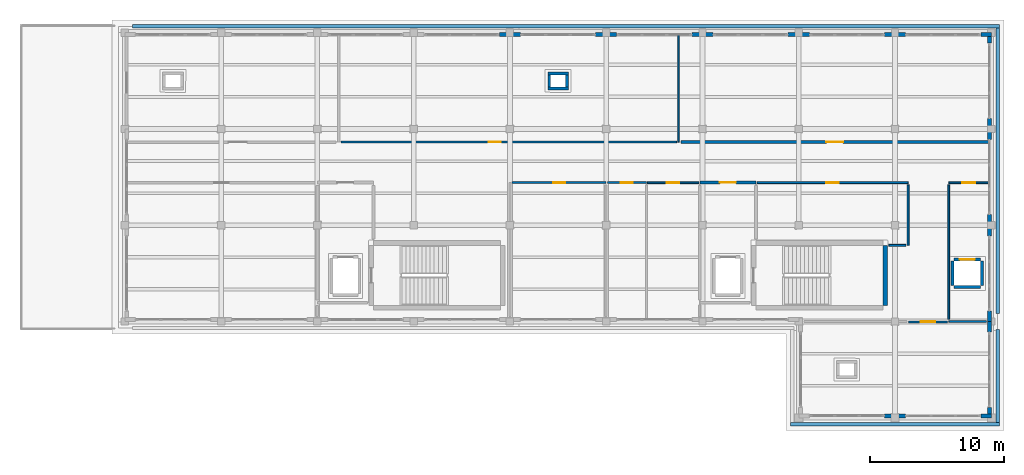
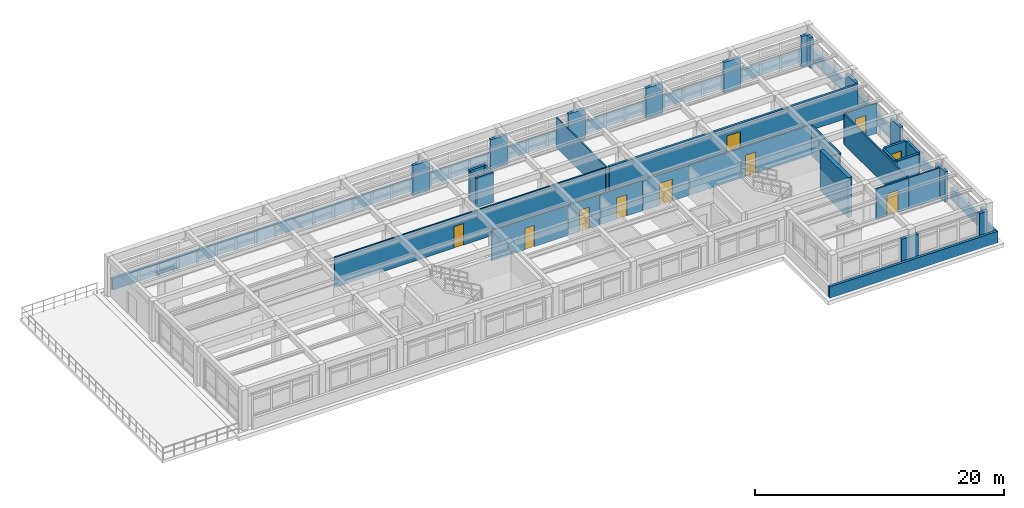
# One storey, part 16 of 21: 41 walls, 10 doors, 10 openings.
"""IFC4 building model written with IfcOpenShell, lengths in metres."""

from ifc_helpers import new_model, si_unit, direction, frame, frame_2d, origin, place, context, subcontext, project, spatial, rectangle, extrude, material, layer, layer_set, type_object, element, fill, save


model = new_model("IFC4")

# Units and contexts
model_context = context("Model", 3, precision=1e-05, world=origin(), true_north=direction((0.0, 1.0)))
body_context = subcontext(model_context, "Body", "Model", "MODEL_VIEW")
ifc_project = project(units=[si_unit("LENGTHUNIT", "METRE"), si_unit("AREAUNIT", "SQUARE_METRE"), si_unit("VOLUMEUNIT", "CUBIC_METRE"), si_unit("PLANEANGLEUNIT", "RADIAN"), si_unit("MASSUNIT", "GRAM", prefix="KILO")], contexts=[model_context])

# Site, building, storey
site_placement = place(None, origin())
site = spatial("IfcSite", under=ifc_project, at=site_placement, CompositionType="ELEMENT")
building_placement = place(site_placement, origin())
building = spatial("IfcBuilding", under=site, at=building_placement, Name="Solenvale Faculty of Natural Sciences", CompositionType="ELEMENT")
storey_placement = place(building_placement, frame((0.0, 0.0, 31.199951171875)))
storey = spatial("IfcBuildingStorey", under=building, at=storey_placement, Name="L07", CompositionType="ELEMENT", Elevation=31.199951171875)

# Walls
ifc_material_1 = material(Name="Precast concrete 40 MPa", Category="concrete")
ifc_layer_1 = layer(ifc_material_1, 0.284912109375)
ifc_layer_set_1 = layer_set([ifc_layer_1], Name="Precast concrete 40 MPa")
wall_type_1 = type_object("IfcWallType", Name="WL-EXT-PRC-285", PredefinedType="STANDARD", material=ifc_layer_set_1)
wall_1_placement = place(storey_placement, frame((151.0576171875, 93.60009765625, 0.0), z_axis=(0.0, 0.0, 1.0), x_axis=(0.0, 1.0, 0.0)))
element("IfcWall", 1, at=wall_1_placement, inside=storey, type_object=wall_type_1, Name="L07 Facade Closure Pier 1.B1-L", PredefinedType="STANDARD", context=body_context, shape_type="SweptSolid", body=[
    extrude(rectangle(XDim=0.787841796875, YDim=0.284912109375, at=frame_2d((0.39404296875, 0.0))), origin(), (0.0, 0.0, 1.0), 2.9599609375),
])
wall_2_placement = place(storey_placement, frame((151.0576171875, 100.011962890625, 0.0), z_axis=(0.0, 0.0, 1.0), x_axis=(0.0, 1.0, 0.0)))
element("IfcWall", 2, at=wall_2_placement, inside=storey, type_object=wall_type_1, Name="L07 Facade Closure Pier 1.B1-R", PredefinedType="STANDARD", context=body_context, shape_type="SweptSolid", body=[
    extrude(rectangle(XDim=1.575927734375, YDim=0.284912109375, at=frame_2d((0.7880859375, 0.0))), origin(), (0.0, 0.0, 1.0), 2.9599609375),
])
wall_3_placement = place(storey_placement, frame((151.0576171875, 107.2119140625, 0.0), z_axis=(0.0, 0.0, 1.0), x_axis=(0.0, 1.0, 0.0)))
element("IfcWall", 3, at=wall_3_placement, inside=storey, type_object=wall_type_1, Name="L07 Facade Closure Pier 1.B2-R", PredefinedType="STANDARD", context=body_context, shape_type="SweptSolid", body=[
    extrude(rectangle(XDim=1.576171875, YDim=0.284912109375, at=frame_2d((0.7880859375, 0.0))), origin(), (0.0, 0.0, 1.0), 2.9599609375),
])
wall_4_placement = place(storey_placement, frame((151.0576171875, 114.412109375, 0.0), z_axis=(0.0, 0.0, 1.0), x_axis=(0.0, 1.0, 0.0)))
element("IfcWall", 4, at=wall_4_placement, inside=storey, type_object=wall_type_1, Name="L07 Facade Closure Pier 1.B3-R", PredefinedType="STANDARD", context=body_context, shape_type="SweptSolid", body=[
    extrude(rectangle(XDim=0.5029296875, YDim=0.284912109375, at=frame_2d((0.25146484375, 0.0))), origin(), (0.0, 0.0, 1.0), 2.9599609375),
])
wall_5_placement = place(storey_placement, frame((151.199951171875, 115.0576171875, 0.0), z_axis=(0.0, 0.0, 1.0), x_axis=(-1.0, 0.0, 0.0)))
element("IfcWall", 5, at=wall_5_placement, inside=storey, type_object=wall_type_1, Name="L07 Facade Closure Pier 2.B1-L", PredefinedType="STANDARD", context=body_context, shape_type="SweptSolid", body=[
    extrude(rectangle(XDim=0.787841796875, YDim=0.284912109375, at=frame_2d((0.39404296875, 0.0))), origin(), (0.0, 0.0, 1.0), 2.9599609375),
])
wall_6_placement = place(storey_placement, frame((144.7880859375, 115.0576171875, 0.0), z_axis=(0.0, 0.0, 1.0), x_axis=(-1.0, 0.0, 0.0)))
element("IfcWall", 6, at=wall_6_placement, inside=storey, type_object=wall_type_1, Name="L07 Facade Closure Pier 2.B1-R", PredefinedType="STANDARD", context=body_context, shape_type="SweptSolid", body=[
    extrude(rectangle(XDim=1.576171875, YDim=0.284912109375, at=frame_2d((0.7880859375, 0.0))), origin(), (0.0, 0.0, 1.0), 2.9599609375),
])
for number, where, z_axis, x_axis, name in (
    (7, (137.587890625, 115.0576171875, 0.0), (0.0, 0.0, 1.0), (-1.0, 0.0, 0.0), "L07 Facade Closure Pier 2.B2-R"),
    (8, (130.387939453125, 115.0576171875, 0.0), (0.0, 0.0, 1.0), (-1.0, 0.0, 0.0), "L07 Facade Closure Pier 2.B3-R"),
    (9, (123.18798828125, 115.0576171875, 0.0), (0.0, 0.0, 1.0), (-1.0, 0.0, 0.0), "L07 Facade Closure Pier 2.B4-R"),
    (10, (115.988037109375, 115.0576171875, 0.0), (0.0, 0.0, 1.0), (-1.0, 0.0, 0.0), "L07 Facade Closure Pier 2.B5-R"),
):
    element("IfcWall", number, at=place(storey_placement, frame(where, z_axis=z_axis, x_axis=x_axis)), inside=storey, type_object=wall_type_1, Name=name, PredefinedType="STANDARD", context=body_context, shape_type="SweptSolid", body=[
        extrude(rectangle(XDim=1.575927734375, YDim=0.284912109375, at=frame_2d((0.7880859375, 0.0))), origin(), (0.0, 0.0, 1.0), 2.9599609375),
    ])
wall_7_placement = place(storey_placement, frame((143.2119140625, 86.54248046875, 0.0), z_axis=(0.0, 0.0, 1.0), x_axis=(1.0, 0.0, 0.0)))
element("IfcWall", 11, at=wall_7_placement, inside=storey, type_object=wall_type_1, Name="L07 Facade Closure Pier 6.B1-R", PredefinedType="STANDARD", context=body_context, shape_type="SweptSolid", body=[
    extrude(rectangle(XDim=1.576171875, YDim=0.284912109375, at=frame_2d((0.7880859375, 0.0))), origin(), (0.0, 0.0, 1.0), 2.9599609375),
])
wall_8_placement = place(storey_placement, frame((150.412109375, 86.54248046875, 0.0), z_axis=(0.0, 0.0, 1.0), x_axis=(1.0, 0.0, 0.0)))
element("IfcWall", 12, at=wall_8_placement, inside=storey, type_object=wall_type_1, Name="L07 Facade Closure Pier 6.B2-R", PredefinedType="STANDARD", context=body_context, shape_type="SweptSolid", body=[
    extrude(rectangle(XDim=0.787841796875, YDim=0.284912109375, at=frame_2d((0.39404296875, 0.0))), origin(), (0.0, 0.0, 1.0), 2.9599609375),
])
wall_9_placement = place(storey_placement, frame((151.0576171875, 86.68505859375, 0.0), z_axis=(0.0, 0.0, 1.0), x_axis=(0.0, 1.0, 0.0)))
element("IfcWall", 13, at=wall_9_placement, inside=storey, type_object=wall_type_1, Name="L07 Facade Closure Pier 7.B1-L", PredefinedType="STANDARD", context=body_context, shape_type="SweptSolid", body=[
    extrude(rectangle(XDim=0.5029296875, YDim=0.284912109375, at=frame_2d((0.25146484375, 0.0))), origin(), (0.0, 0.0, 1.0), 2.9599609375),
])
wall_10_placement = place(storey_placement, frame((151.0576171875, 92.81201171875, 0.0), z_axis=(0.0, 0.0, 1.0), x_axis=(0.0, 1.0, 0.0)))
element("IfcWall", 14, at=wall_10_placement, inside=storey, type_object=wall_type_1, Name="L07 Facade Closure Pier 7.B1-R", PredefinedType="STANDARD", context=body_context, shape_type="SweptSolid", body=[
    extrude(rectangle(XDim=0.7880859375, YDim=0.284912109375, at=frame_2d((0.39404296875, 0.0))), origin(), (0.0, 0.0, 1.0), 2.9599609375),
])

# Wall, opening, door
ifc_material_2 = material(Name="Gypsum fire-rated shaftwall")
ifc_layer_2 = layer(ifc_material_2, 0.205078125)
ifc_layer_set_2 = layer_set([ifc_layer_2], Name="Gypsum fire-rated shaftwall")
wall_type_2 = type_object("IfcWallType", Name="WL-FFL-205", PredefinedType="PARTITIONING", material=ifc_layer_set_2)
wall_11_placement = place(storey_placement, frame((129.39990234375, 104.0, 0.0), z_axis=(0.0, 0.0, 1.0), x_axis=(1.0, 0.0, 0.0)))
wall_11 = element("IfcWall", 15, at=wall_11_placement, inside=storey, type_object=wall_type_2, Name="L07 Firefighting Lobby C5 Partition 1", PredefinedType="PARTITIONING", context=body_context, shape_type="SweptSolid", body=[
    extrude(rectangle(XDim=4.2001953125, YDim=0.205078125, at=frame_2d((2.10009765625, 0.0))), origin(), (0.0, 0.0, 1.0), 2.9599609375),
])
opening_1_placement = place(wall_11_placement, frame((1.5, 0.0, 0.0)))
opening_1 = element("IfcOpeningElement", 16, at=opening_1_placement, cuts=wall_11, Name="Opening D-L07-02", PredefinedType="OPENING", context=body_context, shape_type="SweptSolid", body=[
    extrude(rectangle(XDim=1.199951171875, YDim=2.14990234375, at=frame_2d((0.60009765625, 1.074951171875))), frame((0.0, 0.112548828125, 0.0), z_axis=(0.0, -1.0, 0.0), x_axis=(1.0, 0.0, 0.0)), (0.0, 0.0, 1.0), 0.22509765625),
])
ifc_material_3 = material(Name="Galvanised steel S355", Category="steel")
door_type_1 = type_object("IfcDoorType", Name="DR-FFL-1200x2150", OperationType="NOTDEFINED", PredefinedType="DOOR", material=ifc_material_3)
door_1_placement = place(opening_1_placement, origin())
door_1 = element("IfcDoor", 17, at=door_1_placement, inside=storey, type_object=door_type_1, Name="L07 Firefighting Lobby C5 Door", OperationType="SINGLE_SWING_LEFT", OverallHeight=2.14990234375, OverallWidth=1.199951171875, PredefinedType="DOOR", context=body_context, shape_type="SweptSolid", body=[
    extrude(rectangle(XDim=1.199951171875, YDim=2.14990234375, at=frame_2d((0.60009765625, 1.074951171875))), frame((0.0, 0.02490234375, 0.0), z_axis=(0.0, -1.0, 0.0), x_axis=(1.0, 0.0, 0.0)), (0.0, 0.0, 1.0), 0.050048828125),
])
fill(opening_1, door_1)

ifc_material_4 = material(Name="Gypsum fire-rated laboratory partition")
ifc_layer_3 = layer(ifc_material_4, 0.2119140625)
ifc_layer_set_3 = layer_set([ifc_layer_3], Name="Gypsum fire-rated laboratory partition")
wall_type_3 = type_object("IfcWallType", Name="WL-LAB-212", PredefinedType="PARTITIONING", material=ifc_layer_set_3)
wall_12_placement = place(storey_placement, frame((151.01806640625, 107.02001953125, 0.0), z_axis=(0.0, 0.0, 1.0), x_axis=(-1.0, 0.0, 0.0)))
wall_12 = element("IfcWall", 18, at=wall_12_placement, inside=storey, type_object=wall_type_3, Name="L07 Preparative Organic Chemistry Laboratory Partition 4", PredefinedType="PARTITIONING", context=body_context, shape_type="SweptSolid", body=[
    extrude(rectangle(XDim=23.0380859375, YDim=0.2119140625, at=frame_2d((11.51904296875, 0.0))), origin(), (0.0, 0.0, 1.0), 2.9599609375),
])
opening_2_placement = place(wall_12_placement, frame((10.89404296875, 0.0, 0.0)))
opening_2 = element("IfcOpeningElement", 19, at=opening_2_placement, cuts=wall_12, Name="Opening D-L07-05", PredefinedType="OPENING", context=body_context, shape_type="SweptSolid", body=[
    extrude(rectangle(XDim=1.25, YDim=2.14990234375, at=frame_2d((0.625, 1.074951171875))), frame((0.0, 0.115966796875, 0.0), z_axis=(0.0, -1.0, 0.0), x_axis=(1.0, 0.0, 0.0)), (0.0, 0.0, 1.0), 0.23193359375),
])
ifc_material_5 = material(Name="Oak acoustic timber leaf", Category="wood")
door_type_2 = type_object("IfcDoorType", Name="DR-LAB-1250x2150", OperationType="NOTDEFINED", PredefinedType="DOOR", material=ifc_material_5)
door_2_placement = place(opening_2_placement, origin())
door_2 = element("IfcDoor", 20, at=door_2_placement, inside=storey, type_object=door_type_2, Name="L07 Preparative Organic Chemistry Laboratory Door", OperationType="SINGLE_SWING_RIGHT", OverallHeight=2.14990234375, OverallWidth=1.25, PredefinedType="DOOR", context=body_context, shape_type="SweptSolid", body=[
    extrude(rectangle(XDim=1.25, YDim=2.14990234375, at=frame_2d((0.625, 1.074951171875))), frame((0.0, 0.02490234375, 0.0), z_axis=(0.0, -1.0, 0.0), x_axis=(1.0, 0.0, 0.0)), (0.0, 0.0, 1.0), 0.050048828125),
])
fill(opening_2, door_2)

# Wall
ifc_material_6 = material(Name="Acoustic stud gypsum partition")
ifc_layer_4 = layer(ifc_material_6, 0.125)
ifc_layer_set_4 = layer_set([ifc_layer_4], Name="Acoustic stud gypsum partition")
wall_type_4 = type_object("IfcWallType", Name="WL-OFF-125", PredefinedType="PARTITIONING", material=ifc_layer_set_4)
wall_13_placement = place(storey_placement, frame((127.800048828125, 115.01708984375, 0.0), z_axis=(0.0, 0.0, 1.0), x_axis=(0.0, -1.0, 0.0)))
element("IfcWall", 21, at=wall_13_placement, inside=storey, type_object=wall_type_4, Name="L07 Faculty Staff Office Partition 3", PredefinedType="PARTITIONING", context=body_context, shape_type="SweptSolid", body=[
    extrude(rectangle(XDim=7.9970703125, YDim=0.125, at=frame_2d((3.99853515625, 0.0))), origin(), (0.0, 0.0, 1.0), 2.9599609375),
])

# Wall, opening, door
wall_14_placement = place(storey_placement, frame((127.6630859375, 107.02001953125, 0.0), z_axis=(0.0, 0.0, 1.0), x_axis=(-1.0, 0.0, 0.0)))
wall_14 = element("IfcWall", 22, at=wall_14_placement, inside=storey, type_object=wall_type_4, Name="L07 Faculty Staff Office Partition 4", PredefinedType="PARTITIONING", context=body_context, shape_type="SweptSolid", body=[
    extrude(rectangle(XDim=25.09619140625, YDim=0.125, at=frame_2d((12.548095703125, 0.0))), origin(), (0.0, 0.0, 1.0), 2.9599609375),
])
opening_3_placement = place(wall_14_placement, frame((13.137939453125, 0.0, 0.0)))
opening_3 = element("IfcOpeningElement", 23, at=opening_3_placement, cuts=wall_14, Name="Opening D-L07-04", PredefinedType="OPENING", context=body_context, shape_type="SweptSolid", body=[
    extrude(rectangle(XDim=0.919921875, YDim=2.10009765625, at=frame_2d((0.4599609375, 1.050048828125))), frame((0.0, 0.072509765625, 0.0), z_axis=(0.0, -1.0, 0.0), x_axis=(1.0, 0.0, 0.0)), (0.0, 0.0, 1.0), 0.14501953125),
])
door_type_3 = type_object("IfcDoorType", Name="DR-OFF-0920x2100", OperationType="NOTDEFINED", PredefinedType="DOOR", material=ifc_material_5)
door_3_placement = place(opening_3_placement, origin())
door_3 = element("IfcDoor", 24, at=door_3_placement, inside=storey, type_object=door_type_3, Name="L07 Faculty Staff Office Door", OperationType="SINGLE_SWING_LEFT", OverallHeight=2.10009765625, OverallWidth=0.919921875, PredefinedType="DOOR", context=body_context, shape_type="SweptSolid", body=[
    extrude(rectangle(XDim=0.919921875, YDim=2.10009765625, at=frame_2d((0.4599609375, 1.050048828125))), frame((0.0, 0.02490234375, 0.0), z_axis=(0.0, -1.0, 0.0), x_axis=(1.0, 0.0, 0.0)), (0.0, 0.0, 1.0), 0.050048828125),
])
fill(opening_3, door_3)

ifc_layer_5 = layer(ifc_material_6, 0.132080078125)
ifc_layer_set_5 = layer_set([ifc_layer_5], Name="Acoustic stud gypsum partition")
wall_type_5 = type_object("IfcWallType", Name="WL-OFF-132", PredefinedType="PARTITIONING", material=ifc_layer_set_5)
wall_15_placement = place(storey_placement, frame((125.47802734375, 103.97998046875, 0.0), z_axis=(0.0, 0.0, 1.0), x_axis=(1.0, 0.0, 0.0)))
wall_15 = element("IfcWall", 25, at=wall_15_placement, inside=storey, type_object=wall_type_5, Name="L07 Analytical Balance Room Partition 2", PredefinedType="PARTITIONING", context=body_context, shape_type="SweptSolid", body=[
    extrude(rectangle(XDim=3.843994140625, YDim=0.132080078125, at=frame_2d((1.921875, 0.0))), origin(), (0.0, 0.0, 1.0), 2.9599609375),
])
opening_4_placement = place(wall_15_placement, frame((1.447021484375, 0.0, 0.0)))
opening_4 = element("IfcOpeningElement", 26, at=opening_4_placement, cuts=wall_15, Name="Opening D-L07-09", PredefinedType="OPENING", context=body_context, shape_type="SweptSolid", body=[
    extrude(rectangle(XDim=0.949951171875, YDim=2.10009765625, at=frame_2d((0.47509765625, 1.050048828125))), frame((0.0, 0.075927734375, 0.0), z_axis=(0.0, -1.0, 0.0), x_axis=(1.0, 0.0, 0.0)), (0.0, 0.0, 1.0), 0.152099609375),
])
door_type_4 = type_object("IfcDoorType", Name="DR-OFF-0950x2100", OperationType="NOTDEFINED", PredefinedType="DOOR", material=ifc_material_5)
door_4_placement = place(opening_4_placement, origin())
door_4 = element("IfcDoor", 27, at=door_4_placement, inside=storey, type_object=door_type_4, Name="L07 Analytical Balance Room Door", OperationType="SINGLE_SWING_RIGHT", OverallHeight=2.10009765625, OverallWidth=0.949951171875, PredefinedType="DOOR", context=body_context, shape_type="SweptSolid", body=[
    extrude(rectangle(XDim=0.949951171875, YDim=2.10009765625, at=frame_2d((0.47509765625, 1.050048828125))), frame((0.0, 0.02490234375, 0.0), z_axis=(0.0, -1.0, 0.0), x_axis=(1.0, 0.0, 0.0)), (0.0, 0.0, 1.0), 0.050048828125),
])
fill(opening_4, door_4)

ifc_layer_6 = layer(ifc_material_6, 0.139892578125)
ifc_layer_set_6 = layer_set([ifc_layer_6], Name="Acoustic stud gypsum partition")
wall_type_6 = type_object("IfcWallType", Name="WL-OFF-140", PredefinedType="PARTITIONING", material=ifc_layer_set_6)
wall_16_placement = place(storey_placement, frame((148.02001953125, 103.97998046875, 0.0), z_axis=(0.0, 0.0, 1.0), x_axis=(1.0, 0.0, 0.0)))
wall_16 = element("IfcWall", 28, at=wall_16_placement, inside=storey, type_object=wall_type_6, Name="L07 Elevator Lobby Partition 1", PredefinedType="PARTITIONING", context=body_context, shape_type="SweptSolid", body=[
    extrude(rectangle(XDim=2.998046875, YDim=0.139892578125, at=frame_2d((1.4990234375, 0.0))), origin(), (0.0, 0.0, 1.0), 2.9599609375),
])
opening_5_placement = place(wall_16_placement, frame((1.009033203125, 0.0, 0.0)))
opening_5 = element("IfcOpeningElement", 29, at=opening_5_placement, cuts=wall_16, Name="Opening D-L07-11", PredefinedType="OPENING", context=body_context, shape_type="SweptSolid", body=[
    extrude(rectangle(XDim=0.97998046875, YDim=2.10009765625, at=frame_2d((0.489990234375, 1.050048828125))), frame((0.0, 0.079833984375, 0.0), z_axis=(0.0, -1.0, 0.0), x_axis=(1.0, 0.0, 0.0)), (0.0, 0.0, 1.0), 0.159912109375),
])
door_type_5 = type_object("IfcDoorType", Name="DR-OFF-0980x2100", OperationType="NOTDEFINED", PredefinedType="DOOR", material=ifc_material_5)
door_5_placement = place(opening_5_placement, origin())
door_5 = element("IfcDoor", 30, at=door_5_placement, inside=storey, type_object=door_type_5, Name="L07 Elevator Lobby Door", OperationType="SINGLE_SWING_RIGHT", OverallHeight=2.10009765625, OverallWidth=0.97998046875, PredefinedType="DOOR", context=body_context, shape_type="SweptSolid", body=[
    extrude(rectangle(XDim=0.97998046875, YDim=2.10009765625, at=frame_2d((0.489990234375, 1.050048828125))), frame((0.0, 0.02490234375, 0.0), z_axis=(0.0, -1.0, 0.0), x_axis=(1.0, 0.0, 0.0)), (0.0, 0.0, 1.0), 0.050048828125),
])
fill(opening_5, door_5)

# Walls
wall_17_placement = place(storey_placement, frame((150.8330078125, 93.60009765625, 0.0), z_axis=(0.0, 0.0, 1.0), x_axis=(-1.0, 0.0, 0.0)))
element("IfcWall", 31, at=wall_17_placement, inside=storey, type_object=wall_type_6, Name="L07 Elevator Lobby Partition 3", PredefinedType="PARTITIONING", context=body_context, shape_type="SweptSolid", body=[
    extrude(rectangle(XDim=2.81298828125, YDim=0.139892578125, at=frame_2d((1.406494140625, 0.0))), origin(), (0.0, 0.0, 1.0), 2.9599609375),
])
wall_18_placement = place(storey_placement, frame((148.02001953125, 93.751953125, 0.0), z_axis=(0.0, 0.0, 1.0), x_axis=(0.0, 1.0, 0.0)))
element("IfcWall", 32, at=wall_18_placement, inside=storey, type_object=wall_type_6, Name="L07 Elevator Lobby Partition 4", PredefinedType="PARTITIONING", context=body_context, shape_type="SweptSolid", body=[
    extrude(rectangle(XDim=10.075927734375, YDim=0.139892578125, at=frame_2d((5.0380859375, 0.0))), origin(), (0.0, 0.0, 1.0), 2.9599609375),
])

# Wall, opening, door
ifc_layer_7 = layer(ifc_material_6, 0.14794921875)
ifc_layer_set_7 = layer_set([ifc_layer_7], Name="Acoustic stud gypsum partition")
wall_type_7 = type_object("IfcWallType", Name="WL-OFF-148", PredefinedType="PARTITIONING", material=ifc_layer_set_7)
wall_19_placement = place(storey_placement, frame((133.68603515625, 103.97998046875, 0.0), z_axis=(0.0, 0.0, 1.0), x_axis=(1.0, 0.0, 0.0)))
wall_19 = element("IfcWall", 33, at=wall_19_placement, inside=storey, type_object=wall_type_7, Name="L07 Building Electrical and Telecom Closet Partition 18", PredefinedType="PARTITIONING", context=body_context, shape_type="SweptSolid", body=[
    extrude(rectangle(XDim=11.2939453125, YDim=0.14794921875, at=frame_2d((5.64697265625, 0.0))), origin(), (0.0, 0.0, 1.0), 2.9599609375),
])
opening_6_placement = place(wall_19_placement, frame((5.18701171875, 0.0, 0.0)))
opening_6 = element("IfcOpeningElement", 34, at=opening_6_placement, cuts=wall_19, Name="Opening D-L07-10", PredefinedType="OPENING", context=body_context, shape_type="SweptSolid", body=[
    extrude(rectangle(XDim=0.919921875, YDim=2.10009765625, at=frame_2d((0.4599609375, 1.050048828125))), frame((0.0, 0.083984375, 0.0), z_axis=(0.0, -1.0, 0.0), x_axis=(1.0, 0.0, 0.0)), (0.0, 0.0, 1.0), 0.16796875),
])
door_6_placement = place(opening_6_placement, origin())
door_6 = element("IfcDoor", 35, at=door_6_placement, inside=storey, type_object=door_type_3, Name="L07 Building Electrical and Telecom Closet Door", OperationType="SINGLE_SWING_LEFT", OverallHeight=2.10009765625, OverallWidth=0.919921875, PredefinedType="DOOR", context=body_context, shape_type="SweptSolid", body=[
    extrude(rectangle(XDim=0.919921875, YDim=2.10009765625, at=frame_2d((0.4599609375, 1.050048828125))), frame((0.0, 0.02490234375, 0.0), z_axis=(0.0, -1.0, 0.0), x_axis=(1.0, 0.0, 0.0)), (0.0, 0.0, 1.0), 0.050048828125),
])
fill(opening_6, door_6)

# Walls
wall_20_placement = place(storey_placement, frame((144.97998046875, 103.820068359375, 0.0), z_axis=(0.0, 0.0, 1.0), x_axis=(0.0, -1.0, 0.0)))
element("IfcWall", 36, at=wall_20_placement, inside=storey, type_object=wall_type_7, Name="L07 Building Electrical and Telecom Closet Partition 19", PredefinedType="PARTITIONING", context=body_context, shape_type="SweptSolid", body=[
    extrude(rectangle(XDim=4.52001953125, YDim=0.14794921875, at=frame_2d((2.260009765625, 0.0))), origin(), (0.0, 0.0, 1.0), 2.9599609375),
])
wall_21_placement = place(storey_placement, frame((144.820068359375, 99.300048828125, 0.0), z_axis=(0.0, 0.0, 1.0), x_axis=(-1.0, 0.0, 0.0)))
element("IfcWall", 37, at=wall_21_placement, inside=storey, type_object=wall_type_7, Name="L07 Building Electrical and Telecom Closet Partition 20", PredefinedType="PARTITIONING", context=body_context, shape_type="SweptSolid", body=[
    extrude(rectangle(XDim=1.2841796875, YDim=0.14794921875, at=frame_2d((0.64208984375, 0.0))), origin(), (0.0, 0.0, 1.0), 2.9599609375),
])
ifc_material_7 = material(Name="Architectural bronze concrete 40 MPa", Category="concrete")
ifc_layer_8 = layer(ifc_material_7, 0.239990234375)
ifc_layer_set_8 = layer_set([ifc_layer_8], Name="Architectural bronze concrete 40 MPa")
wall_type_8 = type_object("IfcWallType", Name="WL-PAR-BRZ-240", PredefinedType="PARAPET", material=ifc_layer_set_8)
wall_22_placement = place(storey_placement, frame((86.9599609375, 115.679931640625, 0.0), z_axis=(0.0, 0.0, 1.0), x_axis=(1.0, 0.0, 0.0)))
element("IfcWall", 38, at=wall_22_placement, inside=storey, type_object=wall_type_8, Name="L07 Tower Horizontal Concrete Band 2", PredefinedType="PARAPET", context=body_context, shape_type="SweptSolid", body=[
    extrude(rectangle(XDim=64.840087890625, YDim=0.239990234375, at=frame_2d((32.419921875, 0.0))), origin(), (0.0, 0.0, 1.0), 1.1201171875),
])
wall_23_placement = place(storey_placement, frame((151.679931640625, 115.56005859375, 0.0), z_axis=(0.0, 0.0, 1.0), x_axis=(0.0, -1.0, 0.0)))
element("IfcWall", 39, at=wall_23_placement, inside=storey, type_object=wall_type_8, Name="L07 Tower Horizontal Concrete Band 3", PredefinedType="PARAPET", context=body_context, shape_type="SweptSolid", body=[
    extrude(rectangle(XDim=21.360107421875, YDim=0.239990234375, at=frame_2d((10.68017578125, 0.0))), origin(), (0.0, 0.0, 1.0), 1.1201171875),
])
wall_24_placement = place(storey_placement, frame((151.679931640625, 93.0, 0.0), z_axis=(0.0, 0.0, 1.0), x_axis=(0.0, -1.0, 0.0)))
element("IfcWall", 40, at=wall_24_placement, inside=storey, type_object=wall_type_8, Name="L07 Tower Horizontal Concrete Band 4", PredefinedType="PARAPET", context=body_context, shape_type="SweptSolid", body=[
    extrude(rectangle(XDim=6.9599609375, YDim=0.239990234375, at=frame_2d((3.47998046875, 0.0))), origin(), (0.0, 0.0, 1.0), 1.1201171875),
])
wall_25_placement = place(storey_placement, frame((151.800048828125, 85.919921875, 0.0), z_axis=(0.0, 0.0, 1.0), x_axis=(-1.0, 0.0, 0.0)))
element("IfcWall", 41, at=wall_25_placement, inside=storey, type_object=wall_type_8, Name="L07 Tower Horizontal Concrete Band 5", PredefinedType="PARAPET", context=body_context, shape_type="SweptSolid", body=[
    extrude(rectangle(XDim=15.60009765625, YDim=0.239990234375, at=frame_2d((7.800048828125, 0.0))), origin(), (0.0, 0.0, 1.0), 1.1201171875),
])

# Wall, opening, door
ifc_material_8 = material(Name="Acoustic double-stud gypsum partition")
ifc_layer_9 = layer(ifc_material_8, 0.155029296875)
ifc_layer_set_9 = layer_set([ifc_layer_9], Name="Acoustic double-stud gypsum partition")
wall_type_9 = type_object("IfcWallType", Name="WL-SEM-155", PredefinedType="PARTITIONING", material=ifc_layer_set_9)
wall_26_placement = place(storey_placement, frame((145.0, 93.580078125, 0.0), z_axis=(0.0, 0.0, 1.0), x_axis=(1.0, 0.0, 0.0)))
wall_26 = element("IfcWall", 42, at=wall_26_placement, inside=storey, type_object=wall_type_9, Name="L07 Seminar Room Partition 16", PredefinedType="PARTITIONING", context=body_context, shape_type="SweptSolid", body=[
    extrude(rectangle(XDim=2.930908203125, YDim=0.155029296875, at=frame_2d((1.46533203125, 0.0))), origin(), (0.0, 0.0, 1.0), 2.9599609375),
])
opening_7_placement = place(wall_26_placement, frame((0.94091796875, 0.0, 0.0)))
opening_7 = element("IfcOpeningElement", 43, at=opening_7_placement, cuts=wall_26, Name="Opening D-L07-12", PredefinedType="OPENING", context=body_context, shape_type="SweptSolid", body=[
    extrude(rectangle(XDim=1.050048828125, YDim=2.14990234375, at=frame_2d((0.52490234375, 1.074951171875))), frame((0.0, 0.08740234375, 0.0), z_axis=(0.0, -1.0, 0.0), x_axis=(1.0, 0.0, 0.0)), (0.0, 0.0, 1.0), 0.175048828125),
])
door_type_6 = type_object("IfcDoorType", Name="DR-SEM-1050x2150", OperationType="NOTDEFINED", PredefinedType="DOOR", material=ifc_material_5)
door_7_placement = place(opening_7_placement, origin())
door_7 = element("IfcDoor", 44, at=door_7_placement, inside=storey, type_object=door_type_6, Name="L07 Seminar Room Door", OperationType="SINGLE_SWING_LEFT", OverallHeight=2.14990234375, OverallWidth=1.050048828125, PredefinedType="DOOR", context=body_context, shape_type="SweptSolid", body=[
    extrude(rectangle(XDim=1.050048828125, YDim=2.14990234375, at=frame_2d((0.52490234375, 1.074951171875))), frame((0.0, 0.02490234375, 0.0), z_axis=(0.0, -1.0, 0.0), x_axis=(1.0, 0.0, 0.0)), (0.0, 0.0, 1.0), 0.050048828125),
])
fill(opening_7, door_7)

# Wall
ifc_material_9 = material(Name="Concrete 40 MPa", Category="concrete")
ifc_layer_10 = layer(ifc_material_9, 0.219970703125)
ifc_layer_set_10 = layer_set([ifc_layer_10], Name="Concrete 40 MPa")
wall_type_10 = type_object("IfcWallType", Name="WL-SHF-220", PredefinedType="STANDARD", material=ifc_layer_set_10)
wall_27_placement = place(storey_placement, frame((148.405029296875, 96.169921875, 0.0), z_axis=(0.0, 0.0, 1.0), x_axis=(1.0, 0.0, 0.0)))
element("IfcWall", 45, at=wall_27_placement, inside=storey, type_object=wall_type_10, Name="Elevator LP-03 L07 Shaft Wall S", PredefinedType="STANDARD", context=body_context, shape_type="SweptSolid", body=[
    extrude(rectangle(XDim=1.989990234375, YDim=0.219970703125, at=frame_2d((0.9951171875, 0.0))), origin(), (0.0, 0.0, 1.0), 2.9599609375),
])

# Wall, opening, door
wall_28_placement = place(storey_placement, frame((148.405029296875, 98.22998046875, 0.0), z_axis=(0.0, 0.0, 1.0), x_axis=(1.0, 0.0, 0.0)))
wall_28 = element("IfcWall", 46, at=wall_28_placement, inside=storey, type_object=wall_type_10, Name="Elevator LP-03 L07 Shaft Wall N", PredefinedType="STANDARD", context=body_context, shape_type="SweptSolid", body=[
    extrude(rectangle(XDim=1.989990234375, YDim=0.219970703125, at=frame_2d((0.9951171875, 0.0))), origin(), (0.0, 0.0, 1.0), 2.9599609375),
])
opening_8_placement = place(wall_28_placement, frame((0.445068359375, 0.0, 0.0)))
opening_8 = element("IfcOpeningElement", 47, at=opening_8_placement, cuts=wall_28, Name="Opening LD-LP-03-L07", PredefinedType="OPENING", context=body_context, shape_type="SweptSolid", body=[
    extrude(rectangle(XDim=1.10009765625, YDim=2.14990234375, at=frame_2d((0.550048828125, 1.074951171875))), frame((0.0, 0.119873046875, 0.0), z_axis=(0.0, -1.0, 0.0), x_axis=(1.0, 0.0, 0.0)), (0.0, 0.0, 1.0), 0.239990234375),
])
ifc_material_10 = material(Name="Stainless steel Grade 304", Category="steel")
door_type_7 = type_object("IfcDoorType", Name="DR-LIFT-1100x2150", OperationType="NOTDEFINED", PredefinedType="DOOR", material=ifc_material_10)
door_8_placement = place(opening_8_placement, origin())
door_8 = element("IfcDoor", 48, at=door_8_placement, inside=storey, type_object=door_type_7, Name="Elevator LP-03 L07 Sliding Landing Door", OperationType="SLIDING_TO_RIGHT", OverallHeight=2.14990234375, OverallWidth=1.10009765625, PredefinedType="DOOR", context=body_context, shape_type="SweptSolid", body=[
    extrude(rectangle(XDim=1.10009765625, YDim=2.14990234375, at=frame_2d((0.550048828125, 1.074951171875))), frame((0.0, 0.02490234375, 0.0), z_axis=(0.0, -1.0, 0.0), x_axis=(1.0, 0.0, 0.0)), (0.0, 0.0, 1.0), 0.050048828125),
])
fill(opening_8, door_8)

# Walls
for number, where, z_axis, x_axis, name in (
    (49, (148.294921875, 96.280029296875, 0.0), (0.0, 0.0, 1.0), (0.0, 1.0, 0.0), "Elevator LP-03 L07 Shaft Wall W"),
    (50, (150.5048828125, 96.280029296875, 0.0), (0.0, 0.0, 1.0), (0.0, 1.0, 0.0), "Elevator LP-03 L07 Shaft Wall E"),
):
    element("IfcWall", number, at=place(storey_placement, frame(where, z_axis=z_axis, x_axis=x_axis)), inside=storey, type_object=wall_type_10, Name=name, PredefinedType="STANDARD", context=body_context, shape_type="SweptSolid", body=[
        extrude(rectangle(XDim=1.840087890625, YDim=0.219970703125, at=frame_2d((0.919921875, 0.0))), origin(), (0.0, 0.0, 1.0), 2.9599609375),
    ])
for number, where, z_axis, x_axis, name in (
    (51, (118.030029296875, 111.0400390625, 0.0), (0.0, 0.0, 1.0), (1.0, 0.0, 0.0), "L07 Service Riser Shaft 2 Wall S"),
    (52, (118.030029296875, 112.159912109375, 0.0), (0.0, 0.0, 1.0), (1.0, 0.0, 0.0), "L07 Service Riser Shaft 2 Wall N"),
):
    element("IfcWall", number, at=place(storey_placement, frame(where, z_axis=z_axis, x_axis=x_axis)), inside=storey, type_object=wall_type_10, Name=name, PredefinedType="STANDARD", context=body_context, shape_type="SweptSolid", body=[
        extrude(rectangle(XDim=1.5400390625, YDim=0.219970703125, at=frame_2d((0.77001953125, 0.0))), origin(), (0.0, 0.0, 1.0), 2.9599609375),
    ])
for number, where, z_axis, x_axis, name in (
    (53, (118.139892578125, 111.14990234375, 0.0), (0.0, 0.0, 1.0), (0.0, 1.0, 0.0), "L07 Service Riser Shaft 2 Wall W"),
    (54, (119.4599609375, 111.14990234375, 0.0), (0.0, 0.0, 1.0), (0.0, 1.0, 0.0), "L07 Service Riser Shaft 2 Wall E"),
):
    element("IfcWall", number, at=place(storey_placement, frame(where, z_axis=z_axis, x_axis=x_axis)), inside=storey, type_object=wall_type_10, Name=name, PredefinedType="STANDARD", context=body_context, shape_type="SweptSolid", body=[
        extrude(rectangle(XDim=0.900146484375, YDim=0.219970703125, at=frame_2d((0.4501953125, 0.0))), origin(), (0.0, 0.0, 1.0), 2.9599609375),
    ])
ifc_material_11 = material(Name="Concrete 50 MPa", Category="concrete")
ifc_layer_11 = layer(ifc_material_11, 0.35009765625)
ifc_layer_set_11 = layer_set([ifc_layer_11], Name="Concrete 50 MPa")
wall_type_11 = type_object("IfcWallType", Name="WL-SHR-350", PredefinedType="SHEAR", material=ifc_layer_set_11)
wall_29_placement = place(storey_placement, frame((143.27490234375, 94.800048828125, 0.0), z_axis=(0.0, 0.0, 1.0), x_axis=(0.0, 1.0, 0.0)))
element("IfcWall", 55, at=wall_29_placement, inside=storey, type_object=wall_type_11, Name="Core C5 L07 Shear Wall E", PredefinedType="SHEAR", context=body_context, shape_type="SweptSolid", body=[
    extrude(rectangle(XDim=4.5, YDim=0.35009765625, at=frame_2d((2.25, 0.0))), origin(), (0.0, 0.0, 1.0), 3.920166015625),
])

# Wall, opening, door
ifc_material_12 = material(Name="Moisture-resistant tile partition")
ifc_layer_12 = layer(ifc_material_12, 0.14990234375)
ifc_layer_set_12 = layer_set([ifc_layer_12], Name="Moisture-resistant tile partition")
wall_type_12 = type_object("IfcWallType", Name="WL-WC-150", PredefinedType="PARTITIONING", material=ifc_layer_set_12)
wall_30_placement = place(storey_placement, frame((115.362060546875, 103.97998046875, 0.0), z_axis=(0.0, 0.0, 1.0), x_axis=(1.0, 0.0, 0.0)))
wall_30 = element("IfcWall", 56, at=wall_30_placement, inside=storey, type_object=wall_type_12, Name="L07 Public Washroom Partition 2", PredefinedType="PARTITIONING", context=body_context, shape_type="SweptSolid", body=[
    extrude(rectangle(XDim=7.037841796875, YDim=0.14990234375, at=frame_2d((3.51904296875, 0.0))), origin(), (0.0, 0.0, 1.0), 2.9599609375),
])
opening_9_placement = place(wall_30_placement, frame((3.0791015625, 0.0, 0.0)))
opening_9 = element("IfcOpeningElement", 57, at=opening_9_placement, cuts=wall_30, Name="Opening D-L07-07", PredefinedType="OPENING", context=body_context, shape_type="SweptSolid", body=[
    extrude(rectangle(XDim=0.8798828125, YDim=2.10009765625, at=frame_2d((0.43994140625, 1.050048828125))), frame((0.0, 0.0849609375, 0.0), z_axis=(0.0, -1.0, 0.0), x_axis=(1.0, 0.0, 0.0)), (0.0, 0.0, 1.0), 0.169921875),
])
door_type_8 = type_object("IfcDoorType", Name="DR-WC-0880x2100", OperationType="NOTDEFINED", PredefinedType="DOOR", material=ifc_material_5)
door_9_placement = place(opening_9_placement, origin())
door_9 = element("IfcDoor", 58, at=door_9_placement, inside=storey, type_object=door_type_8, Name="L07 Public Washroom Door", OperationType="SINGLE_SWING_RIGHT", OverallHeight=2.10009765625, OverallWidth=0.8798828125, PredefinedType="DOOR", context=body_context, shape_type="SweptSolid", body=[
    extrude(rectangle(XDim=0.8798828125, YDim=2.10009765625, at=frame_2d((0.43994140625, 1.050048828125))), frame((0.0, 0.02490234375, 0.0), z_axis=(0.0, -1.0, 0.0), x_axis=(1.0, 0.0, 0.0)), (0.0, 0.0, 1.0), 0.050048828125),
])
fill(opening_9, door_9)

wall_31_placement = place(storey_placement, frame((122.487060546875, 103.97998046875, 0.0), z_axis=(0.0, 0.0, 1.0), x_axis=(1.0, 0.0, 0.0)))
wall_31 = element("IfcWall", 59, at=wall_31_placement, inside=storey, type_object=wall_type_12, Name="L07 Accessible Washroom Partition 2", PredefinedType="PARTITIONING", context=body_context, shape_type="SweptSolid", body=[
    extrude(rectangle(XDim=2.912841796875, YDim=0.14990234375, at=frame_2d((1.45654296875, 0.0))), origin(), (0.0, 0.0, 1.0), 2.9599609375),
])
opening_10_placement = place(wall_31_placement, frame((1.007080078125, 0.0, 0.0)))
opening_10 = element("IfcOpeningElement", 60, at=opening_10_placement, cuts=wall_31, Name="Opening D-L07-08", PredefinedType="OPENING", context=body_context, shape_type="SweptSolid", body=[
    extrude(rectangle(XDim=0.89990234375, YDim=2.10009765625, at=frame_2d((0.449951171875, 1.050048828125))), frame((0.0, 0.0849609375, 0.0), z_axis=(0.0, -1.0, 0.0), x_axis=(1.0, 0.0, 0.0)), (0.0, 0.0, 1.0), 0.169921875),
])
door_type_9 = type_object("IfcDoorType", Name="DR-WC-0900x2100", OperationType="NOTDEFINED", PredefinedType="DOOR", material=ifc_material_5)
door_10_placement = place(opening_10_placement, origin())
door_10 = element("IfcDoor", 61, at=door_10_placement, inside=storey, type_object=door_type_9, Name="L07 Accessible Washroom Door", OperationType="SINGLE_SWING_LEFT", OverallHeight=2.10009765625, OverallWidth=0.89990234375, PredefinedType="DOOR", context=body_context, shape_type="SweptSolid", body=[
    extrude(rectangle(XDim=0.89990234375, YDim=2.10009765625, at=frame_2d((0.449951171875, 1.050048828125))), frame((0.0, 0.02490234375, 0.0), z_axis=(0.0, -1.0, 0.0), x_axis=(1.0, 0.0, 0.0)), (0.0, 0.0, 1.0), 0.050048828125),
])
fill(opening_10, door_10)

save(model, "model.ifc")
